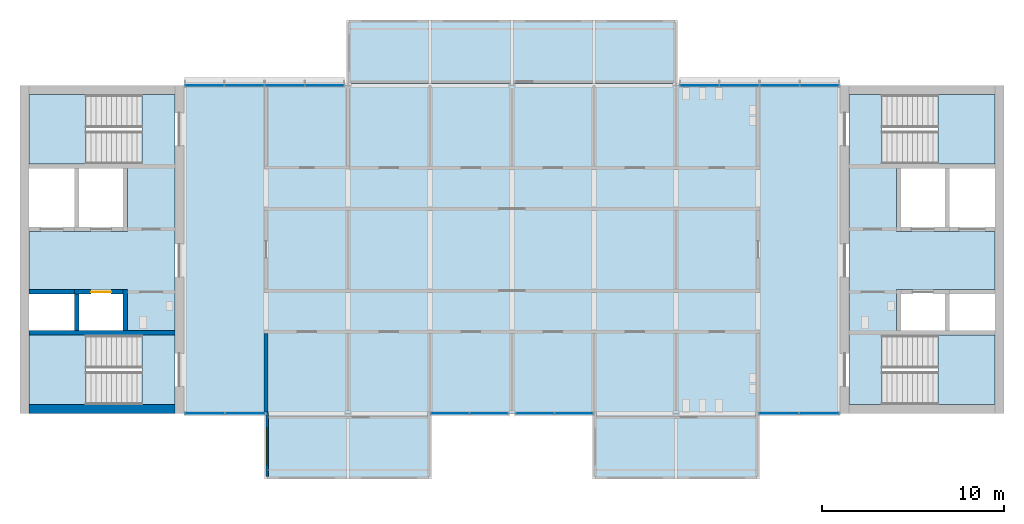
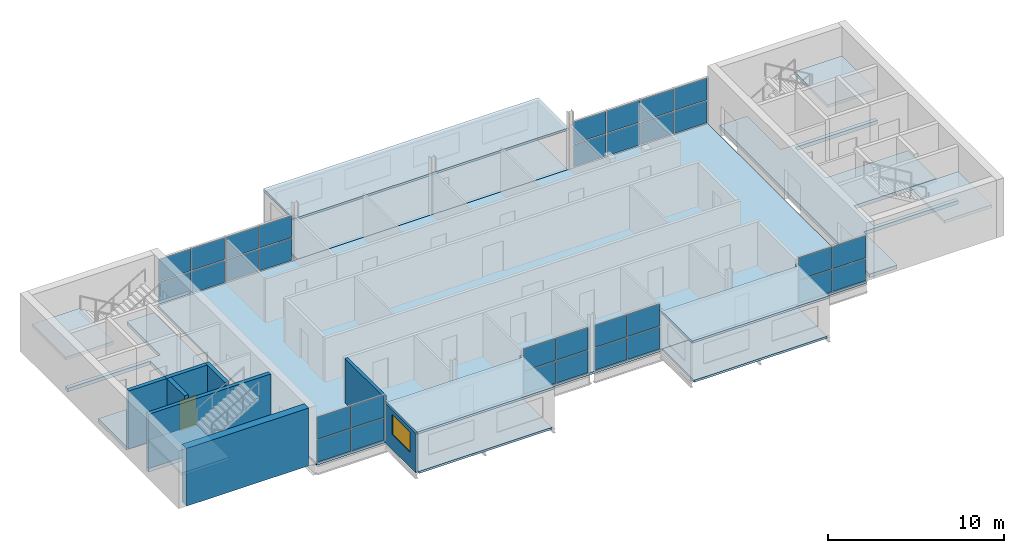
# One storey, part 4 of 10: 32 plates, 13 slabs, 8 walls, 1 door, 1 window, 2 openings, 10 elements without a shape of their own.
"""IFC4 building model written with IfcOpenShell, lengths in metres."""

from ifc_helpers import new_model, si_unit, direction, frame, frame_2d, origin, origin_2d, place, context, subcontext, project, spatial, polyline, rectangle, outline, extrude, material, layer, layer_set, type_object, element, fill, aggregate, save


model = new_model("IFC4")

# Units and contexts
model_context = context("Model", 3, precision=1e-05, world=origin(), true_north=direction((0.0, 1.0)))
body_context = subcontext(model_context, "Body", "Model", "MODEL_VIEW")
ifc_project = project(units=[si_unit("LENGTHUNIT", "METRE"), si_unit("AREAUNIT", "SQUARE_METRE"), si_unit("VOLUMEUNIT", "CUBIC_METRE"), si_unit("PLANEANGLEUNIT", "RADIAN"), si_unit("MASSUNIT", "GRAM", prefix="KILO")], contexts=[model_context])

# Site, building, storey
site_placement = place(None, origin())
site = spatial("IfcSite", under=ifc_project, at=site_placement, CompositionType="ELEMENT")
building_placement = place(site_placement, origin())
building = spatial("IfcBuilding", under=site, at=building_placement, Name="Corbel Yard City Hall", CompositionType="ELEMENT")
storey_placement = place(building_placement, frame((0.0, 0.0, 59.199951171875)))
storey = spatial("IfcBuildingStorey", under=building, at=storey_placement, Name="L14", CompositionType="ELEMENT", Elevation=59.199951171875)

# Slabs
ifc_material_1 = material(Name="Concrete N40 (40 MPa)", Category="concrete")
ifc_layer_1 = layer(ifc_material_1, 0.25)
ifc_layer_set_1 = layer_set([ifc_layer_1], Name="Concrete N40 (40 MPa)")
slab_type_1 = type_object("IfcSlabType", Name="CF1", PredefinedType="FLOOR", material=ifc_layer_set_1)
slab_1_placement = place(storey_placement, frame((0.0, 0.0, -0.25)))
element("IfcSlab", 1, at=slab_1_placement, inside=storey, type_object=slab_type_1, Name="Core floor slab", PredefinedType="FLOOR", context=body_context, shape_type="SweptSolid", body=[
    extrude(outline(polyline([(8.5, 116.5), (6.698974609375, 116.5), (6.698974609375, 112.699951171875), (0.5, 112.699951171875), (0.5, 112.449951171875), (5.89990234375, 112.449951171875), (5.89990234375, 109.0), (0.5, 109.0), (0.5, 105.800048828125), (5.89990234375, 105.800048828125), (5.89990234375, 103.550048828125), (0.5, 103.550048828125), (0.5, 103.300048828125), (6.698974609375, 103.300048828125), (6.698974609375, 99.5), (8.5, 99.5), (8.5, 116.5)])), origin(), (0.0, 0.0, 1.0), 0.25),
])
slab_2_placement = place(storey_placement, frame((0.0, 0.0, -0.25)))
element("IfcSlab", 2, at=slab_2_placement, inside=storey, type_object=slab_type_1, Name="Core floor slab", PredefinedType="FLOOR", context=body_context, shape_type="SweptSolid", body=[
    extrude(outline(polyline([(53.5, 103.300048828125), (53.5, 103.550048828125), (48.10009765625, 103.550048828125), (48.10009765625, 105.800048828125), (53.5, 105.800048828125), (53.5, 109.0), (48.10009765625, 109.0), (48.10009765625, 112.449951171875), (53.5, 112.449951171875), (53.5, 112.699951171875), (47.301025390625, 112.699951171875), (47.301025390625, 116.5), (45.5, 116.5), (45.5, 99.5), (47.301025390625, 99.5), (47.301025390625, 103.300048828125), (53.5, 103.300048828125)])), origin(), (0.0, 0.0, 1.0), 0.25),
])
ifc_layer_2 = layer(ifc_material_1, 0.14990234375)
ifc_layer_set_2 = layer_set([ifc_layer_2], Name="Concrete N40 (40 MPa)")
slab_type_2 = type_object("IfcSlabType", Name="Floor slab 150", PredefinedType="FLOOR", material=ifc_layer_set_2)
slab_3_placement = place(storey_placement, frame((0.0, 0.0, -0.14990234375)))
element("IfcSlab", 3, at=slab_3_placement, inside=storey, type_object=slab_type_2, Name="Tower floor slab L14", PredefinedType="FLOOR", context=body_context, shape_type="SweptSolid", body=[
    extrude(outline(polyline([(45.0, 99.0), (45.0, 117.0), (9.0, 117.0), (9.0, 99.0), (45.0, 99.0)])), origin(), (0.0, 0.0, 1.0), 0.14990234375),
])

# Stair, slab
stair_type = type_object("IfcStairType", Name="ST4", PredefinedType="HALF_TURN_STAIR", material=ifc_material_1)
stair_1_placement = place(storey_placement, origin())
stair_1 = element("IfcStair", 4, at=stair_1_placement, inside=storey, type_object=stair_type, Name="Exit stair ST-W1 L14", PredefinedType="HALF_TURN_STAIR")
ifc_layer_3 = layer(ifc_material_1, 0.199951171875)
ifc_layer_set_3 = layer_set([ifc_layer_3], Name="Concrete N40 (40 MPa)")
slab_type_3 = type_object("IfcSlabType", Name="LN1", PredefinedType="LANDING", material=ifc_layer_set_3)
slab_4_placement = place(storey_placement, frame((0.0, 0.0, 1.800048828125)))
slab_4 = element("IfcSlab", 5, at=slab_4_placement, type_object=slab_type_3, Name="ST-W1 landing 1", PredefinedType="LANDING", context=body_context, shape_type="SweptSolid", body=[
    extrude(outline(polyline([(0.5, 99.5), (3.6201171875, 99.5), (3.6201171875, 103.300048828125), (0.5, 103.300048828125), (0.5, 99.5)])), origin(), (0.0, 0.0, 1.0), 0.199951171875),
])
aggregate(stair_1, [slab_4])

stair_2_placement = place(storey_placement, origin())
stair_2 = element("IfcStair", 6, at=stair_2_placement, inside=storey, type_object=stair_type, Name="Exit stair ST-W2 L14", PredefinedType="HALF_TURN_STAIR")
slab_5_placement = place(storey_placement, frame((0.0, 0.0, 1.800048828125)))
slab_5 = element("IfcSlab", 7, at=slab_5_placement, type_object=slab_type_3, Name="ST-W2 landing 1", PredefinedType="LANDING", context=body_context, shape_type="SweptSolid", body=[
    extrude(outline(polyline([(0.5, 112.699951171875), (3.6201171875, 112.699951171875), (3.6201171875, 116.5), (0.5, 116.5), (0.5, 112.699951171875)])), origin(), (0.0, 0.0, 1.0), 0.199951171875),
])
aggregate(stair_2, [slab_5])

stair_3_placement = place(storey_placement, origin())
stair_3 = element("IfcStair", 8, at=stair_3_placement, inside=storey, type_object=stair_type, Name="Exit stair ST-E1 L14", PredefinedType="HALF_TURN_STAIR")
slab_6_placement = place(storey_placement, frame((0.0, 0.0, 1.800048828125)))
slab_6 = element("IfcSlab", 9, at=slab_6_placement, type_object=slab_type_3, Name="ST-E1 landing 1", PredefinedType="LANDING", context=body_context, shape_type="SweptSolid", body=[
    extrude(outline(polyline([(50.3798828125, 99.5), (53.5, 99.5), (53.5, 103.300048828125), (50.3798828125, 103.300048828125), (50.3798828125, 99.5)])), origin(), (0.0, 0.0, 1.0), 0.199951171875),
])
aggregate(stair_3, [slab_6])

stair_4_placement = place(storey_placement, origin())
stair_4 = element("IfcStair", 10, at=stair_4_placement, inside=storey, type_object=stair_type, Name="Exit stair ST-E2 L14", PredefinedType="HALF_TURN_STAIR")
slab_7_placement = place(storey_placement, frame((0.0, 0.0, 1.800048828125)))
slab_7 = element("IfcSlab", 11, at=slab_7_placement, type_object=slab_type_3, Name="ST-E2 landing 1", PredefinedType="LANDING", context=body_context, shape_type="SweptSolid", body=[
    extrude(outline(polyline([(50.3798828125, 112.699951171875), (53.5, 112.699951171875), (53.5, 116.5), (50.3798828125, 116.5), (50.3798828125, 112.699951171875)])), origin(), (0.0, 0.0, 1.0), 0.199951171875),
])
aggregate(stair_4, [slab_7])

# Slabs
ifc_material_2 = material(Name="Concrete N32 (32 MPa)", Category="concrete")
ifc_layer_4 = layer(ifc_material_2, 0.14990234375)
ifc_layer_set_4 = layer_set([ifc_layer_4], Name="Concrete N32 (32 MPa)")
slab_type_4 = type_object("IfcSlabType", Name="PF1", PredefinedType="FLOOR", material=ifc_layer_set_4)
slab_8_placement = place(storey_placement, frame((0.0, 0.0, -0.14990234375)))
element("IfcSlab", 12, at=slab_8_placement, inside=storey, type_object=slab_type_4, Name="Pod floor slab L14", PredefinedType="FLOOR", context=body_context, shape_type="SweptSolid", body=[
    extrude(outline(polyline([(13.64990234375, 95.39990234375), (22.35009765625, 95.39990234375), (22.35009765625, 99.0), (13.64990234375, 99.0), (13.64990234375, 95.39990234375)])), origin(), (0.0, 0.0, 1.0), 0.14990234375),
])
slab_9_placement = place(storey_placement, frame((0.0, 0.0, -0.14990234375)))
element("IfcSlab", 13, at=slab_9_placement, inside=storey, type_object=slab_type_4, Name="Pod floor slab L14", PredefinedType="FLOOR", context=body_context, shape_type="SweptSolid", body=[
    extrude(outline(polyline([(31.64990234375, 95.39990234375), (40.35009765625, 95.39990234375), (40.35009765625, 99.0), (31.64990234375, 99.0), (31.64990234375, 95.39990234375)])), origin(), (0.0, 0.0, 1.0), 0.14990234375),
])
slab_10_placement = place(storey_placement, frame((0.0, 0.0, -0.14990234375)))
element("IfcSlab", 14, at=slab_10_placement, inside=storey, type_object=slab_type_4, Name="Pod floor slab L14", PredefinedType="FLOOR", context=body_context, shape_type="SweptSolid", body=[
    extrude(outline(polyline([(18.14990234375, 117.0), (35.85009765625, 117.0), (35.85009765625, 120.60009765625), (18.14990234375, 120.60009765625), (18.14990234375, 117.0)])), origin(), (0.0, 0.0, 1.0), 0.14990234375),
])
ifc_layer_5 = layer(ifc_material_2, 0.14990234375)
ifc_layer_set_5 = layer_set([ifc_layer_5], Name="Concrete N32 (32 MPa)")
slab_type_5 = type_object("IfcSlabType", Name="PH1", PredefinedType="ROOF", material=ifc_layer_set_5)
slab_11_placement = place(storey_placement, frame((0.0, 0.0, 2.60009765625)))
element("IfcSlab", 15, at=slab_11_placement, inside=storey, type_object=slab_type_5, Name="Pod roof slab L14", PredefinedType="ROOF", context=body_context, shape_type="SweptSolid", body=[
    extrude(outline(polyline([(13.5, 95.39990234375), (22.5, 95.39990234375), (22.5, 99.074951171875), (22.35009765625, 99.074951171875), (22.35009765625, 98.844482421875), (13.64990234375, 98.844482421875), (13.64990234375, 99.074951171875), (13.5, 99.074951171875), (13.5, 95.39990234375)])), origin(), (0.0, 0.0, 1.0), 0.14990234375),
])
slab_12_placement = place(storey_placement, frame((0.0, 0.0, 2.60009765625)))
element("IfcSlab", 16, at=slab_12_placement, inside=storey, type_object=slab_type_5, Name="Pod roof slab L14", PredefinedType="ROOF", context=body_context, shape_type="SweptSolid", body=[
    extrude(outline(polyline([(31.5, 95.39990234375), (40.5, 95.39990234375), (40.5, 99.074951171875), (40.35009765625, 99.074951171875), (40.35009765625, 98.844482421875), (31.64990234375, 98.844482421875), (31.64990234375, 99.074951171875), (31.5, 99.074951171875), (31.5, 95.39990234375)])), origin(), (0.0, 0.0, 1.0), 0.14990234375),
])
slab_13_placement = place(storey_placement, frame((0.0, 0.0, 2.60009765625)))
element("IfcSlab", 17, at=slab_13_placement, inside=storey, type_object=slab_type_5, Name="Pod roof slab L14", PredefinedType="ROOF", context=body_context, shape_type="SweptSolid", body=[
    extrude(outline(polyline([(18.0, 120.60009765625), (18.0, 117.155517578125), (36.0, 117.155517578125), (36.0, 120.60009765625), (18.0, 120.60009765625)])), origin(), (0.0, 0.0, 1.0), 0.14990234375),
])

# Curtain wall, plates
ifc_material_3 = material(Name="Aluminium extrusion", Category="aluminium")
ifc_layer_6 = layer(ifc_material_3, 0.14990234375)
ifc_layer_set_6 = layer_set([ifc_layer_6], Name="Aluminium extrusion")
curtain_wall_type_1 = type_object("IfcCurtainWallType", Name="CW2", PredefinedType="USERDEFINED", material=ifc_layer_set_6)
curtain_wall_1_placement = place(storey_placement, origin())
curtain_wall_1 = element("IfcCurtainWall", 18, at=curtain_wall_1_placement, inside=storey, type_object=curtain_wall_type_1, Name="Curtain wall CW2 L14", ObjectType="CURTAIN WALL", PredefinedType="USERDEFINED")
ifc_material_4 = material(Name="Double glazed low-e glass unit", Category="glass")
ifc_layer_7 = layer(ifc_material_4, 0.028076171875)
ifc_layer_set_7 = layer_set([ifc_layer_7], Name="Double glazed low-e glass unit")
plate_type_1 = type_object("IfcPlateType", Name="PN2", PredefinedType="CURTAIN_PANEL", material=ifc_layer_set_7)
plate_1_placement = place(storey_placement, frame((10.141357421875, 99.0, 0.06494140625), z_axis=(0.0, 0.0, 1.0), x_axis=(1.0, 0.0, 0.0)))
plate_1 = element("IfcPlate", 19, at=plate_1_placement, type_object=plate_type_1, Name="CW2 panel 1.1", PredefinedType="CURTAIN_PANEL", context=body_context, shape_type="SweptSolid", body=[
    extrude(rectangle(XDim=2.152587890625, YDim=0.028076171875, at=origin_2d()), origin(), (0.0, 0.0, 1.0), 1.521484375),
])
plate_2_placement = place(storey_placement, frame((10.141357421875, 99.0, 1.651611328125), z_axis=(0.0, 0.0, 1.0), x_axis=(1.0, 0.0, 0.0)))
plate_2 = element("IfcPlate", 20, at=plate_2_placement, type_object=plate_type_1, Name="CW2 panel 1.2", PredefinedType="CURTAIN_PANEL", context=body_context, shape_type="SweptSolid", body=[
    extrude(rectangle(XDim=2.152587890625, YDim=0.028076171875, at=origin_2d()), origin(), (0.0, 0.0, 1.0), 1.521484375),
])
plate_3_placement = place(storey_placement, frame((12.358642578125, 99.0, 0.06494140625), z_axis=(0.0, 0.0, 1.0), x_axis=(1.0, 0.0, 0.0)))
plate_3 = element("IfcPlate", 21, at=plate_3_placement, type_object=plate_type_1, Name="CW2 panel 2.1", PredefinedType="CURTAIN_PANEL", context=body_context, shape_type="SweptSolid", body=[
    extrude(rectangle(XDim=2.152587890625, YDim=0.028076171875, at=origin_2d()), origin(), (0.0, 0.0, 1.0), 1.521484375),
])
plate_4_placement = place(storey_placement, frame((12.358642578125, 99.0, 1.651611328125), z_axis=(0.0, 0.0, 1.0), x_axis=(1.0, 0.0, 0.0)))
plate_4 = element("IfcPlate", 22, at=plate_4_placement, type_object=plate_type_1, Name="CW2 panel 2.2", PredefinedType="CURTAIN_PANEL", context=body_context, shape_type="SweptSolid", body=[
    extrude(rectangle(XDim=2.152587890625, YDim=0.028076171875, at=origin_2d()), origin(), (0.0, 0.0, 1.0), 1.521484375),
])
aggregate(curtain_wall_1, [plate_1, plate_2, plate_3, plate_4])

curtain_wall_2_placement = place(storey_placement, origin())
curtain_wall_2 = element("IfcCurtainWall", 23, at=curtain_wall_2_placement, inside=storey, type_object=curtain_wall_type_1, Name="Curtain wall CW2 L14", ObjectType="CURTAIN WALL", PredefinedType="USERDEFINED")
plate_5_placement = place(storey_placement, frame((23.600341796875, 99.0, 0.06494140625), z_axis=(0.0, 0.0, 1.0), x_axis=(1.0, 0.0, 0.0)))
plate_5 = element("IfcPlate", 24, at=plate_5_placement, type_object=plate_type_1, Name="CW2 panel 1.1", PredefinedType="CURTAIN_PANEL", context=body_context, shape_type="SweptSolid", body=[
    extrude(rectangle(XDim=2.07080078125, YDim=0.028076171875, at=origin_2d()), origin(), (0.0, 0.0, 1.0), 1.521484375),
])
plate_6_placement = place(storey_placement, frame((23.600341796875, 99.0, 1.651611328125), z_axis=(0.0, 0.0, 1.0), x_axis=(1.0, 0.0, 0.0)))
plate_6 = element("IfcPlate", 25, at=plate_6_placement, type_object=plate_type_1, Name="CW2 panel 1.2", PredefinedType="CURTAIN_PANEL", context=body_context, shape_type="SweptSolid", body=[
    extrude(rectangle(XDim=2.07080078125, YDim=0.028076171875, at=origin_2d()), origin(), (0.0, 0.0, 1.0), 1.521484375),
])
plate_7_placement = place(storey_placement, frame((25.736083984375, 99.0, 0.06494140625), z_axis=(0.0, 0.0, 1.0), x_axis=(1.0, 0.0, 0.0)))
plate_7 = element("IfcPlate", 26, at=plate_7_placement, type_object=plate_type_1, Name="CW2 panel 2.1", PredefinedType="CURTAIN_PANEL", context=body_context, shape_type="SweptSolid", body=[
    extrude(rectangle(XDim=2.07080078125, YDim=0.028076171875, at=origin_2d()), origin(), (0.0, 0.0, 1.0), 1.521484375),
])
plate_8_placement = place(storey_placement, frame((25.736083984375, 99.0, 1.651611328125), z_axis=(0.0, 0.0, 1.0), x_axis=(1.0, 0.0, 0.0)))
plate_8 = element("IfcPlate", 27, at=plate_8_placement, type_object=plate_type_1, Name="CW2 panel 2.2", PredefinedType="CURTAIN_PANEL", context=body_context, shape_type="SweptSolid", body=[
    extrude(rectangle(XDim=2.07080078125, YDim=0.028076171875, at=origin_2d()), origin(), (0.0, 0.0, 1.0), 1.521484375),
])
aggregate(curtain_wall_2, [plate_5, plate_6, plate_7, plate_8])

curtain_wall_3_placement = place(storey_placement, origin())
curtain_wall_3 = element("IfcCurtainWall", 28, at=curtain_wall_3_placement, inside=storey, type_object=curtain_wall_type_1, Name="Curtain wall CW2 L14", ObjectType="CURTAIN WALL", PredefinedType="USERDEFINED")
plate_9_placement = place(storey_placement, frame((28.263916015625, 99.0, 0.06494140625), z_axis=(0.0, 0.0, 1.0), x_axis=(1.0, 0.0, 0.0)))
plate_9 = element("IfcPlate", 29, at=plate_9_placement, type_object=plate_type_1, Name="CW2 panel 1.1", PredefinedType="CURTAIN_PANEL", context=body_context, shape_type="SweptSolid", body=[
    extrude(rectangle(XDim=2.07080078125, YDim=0.028076171875, at=origin_2d()), origin(), (0.0, 0.0, 1.0), 1.521484375),
])
plate_10_placement = place(storey_placement, frame((28.263916015625, 99.0, 1.651611328125), z_axis=(0.0, 0.0, 1.0), x_axis=(1.0, 0.0, 0.0)))
plate_10 = element("IfcPlate", 30, at=plate_10_placement, type_object=plate_type_1, Name="CW2 panel 1.2", PredefinedType="CURTAIN_PANEL", context=body_context, shape_type="SweptSolid", body=[
    extrude(rectangle(XDim=2.07080078125, YDim=0.028076171875, at=origin_2d()), origin(), (0.0, 0.0, 1.0), 1.521484375),
])
plate_11_placement = place(storey_placement, frame((30.399658203125, 99.0, 0.06494140625), z_axis=(0.0, 0.0, 1.0), x_axis=(1.0, 0.0, 0.0)))
plate_11 = element("IfcPlate", 31, at=plate_11_placement, type_object=plate_type_1, Name="CW2 panel 2.1", PredefinedType="CURTAIN_PANEL", context=body_context, shape_type="SweptSolid", body=[
    extrude(rectangle(XDim=2.07080078125, YDim=0.028076171875, at=origin_2d()), origin(), (0.0, 0.0, 1.0), 1.521484375),
])
plate_12_placement = place(storey_placement, frame((30.399658203125, 99.0, 1.651611328125), z_axis=(0.0, 0.0, 1.0), x_axis=(1.0, 0.0, 0.0)))
plate_12 = element("IfcPlate", 32, at=plate_12_placement, type_object=plate_type_1, Name="CW2 panel 2.2", PredefinedType="CURTAIN_PANEL", context=body_context, shape_type="SweptSolid", body=[
    extrude(rectangle(XDim=2.07080078125, YDim=0.028076171875, at=origin_2d()), origin(), (0.0, 0.0, 1.0), 1.521484375),
])
aggregate(curtain_wall_3, [plate_9, plate_10, plate_11, plate_12])

curtain_wall_4_placement = place(storey_placement, origin())
curtain_wall_4 = element("IfcCurtainWall", 33, at=curtain_wall_4_placement, inside=storey, type_object=curtain_wall_type_1, Name="Curtain wall CW2 L14", ObjectType="CURTAIN WALL", PredefinedType="USERDEFINED")
plate_13_placement = place(storey_placement, frame((41.641357421875, 99.0, 0.06494140625), z_axis=(0.0, 0.0, 1.0), x_axis=(1.0, 0.0, 0.0)))
plate_13 = element("IfcPlate", 34, at=plate_13_placement, type_object=plate_type_1, Name="CW2 panel 1.1", PredefinedType="CURTAIN_PANEL", context=body_context, shape_type="SweptSolid", body=[
    extrude(rectangle(XDim=2.152587890625, YDim=0.028076171875, at=origin_2d()), origin(), (0.0, 0.0, 1.0), 1.521484375),
])
plate_14_placement = place(storey_placement, frame((41.641357421875, 99.0, 1.651611328125), z_axis=(0.0, 0.0, 1.0), x_axis=(1.0, 0.0, 0.0)))
plate_14 = element("IfcPlate", 35, at=plate_14_placement, type_object=plate_type_1, Name="CW2 panel 1.2", PredefinedType="CURTAIN_PANEL", context=body_context, shape_type="SweptSolid", body=[
    extrude(rectangle(XDim=2.152587890625, YDim=0.028076171875, at=origin_2d()), origin(), (0.0, 0.0, 1.0), 1.521484375),
])
plate_15_placement = place(storey_placement, frame((43.858642578125, 99.0, 0.06494140625), z_axis=(0.0, 0.0, 1.0), x_axis=(1.0, 0.0, 0.0)))
plate_15 = element("IfcPlate", 36, at=plate_15_placement, type_object=plate_type_1, Name="CW2 panel 2.1", PredefinedType="CURTAIN_PANEL", context=body_context, shape_type="SweptSolid", body=[
    extrude(rectangle(XDim=2.152587890625, YDim=0.028076171875, at=origin_2d()), origin(), (0.0, 0.0, 1.0), 1.521484375),
])
plate_16_placement = place(storey_placement, frame((43.858642578125, 99.0, 1.651611328125), z_axis=(0.0, 0.0, 1.0), x_axis=(1.0, 0.0, 0.0)))
plate_16 = element("IfcPlate", 37, at=plate_16_placement, type_object=plate_type_1, Name="CW2 panel 2.2", PredefinedType="CURTAIN_PANEL", context=body_context, shape_type="SweptSolid", body=[
    extrude(rectangle(XDim=2.152587890625, YDim=0.028076171875, at=origin_2d()), origin(), (0.0, 0.0, 1.0), 1.521484375),
])
aggregate(curtain_wall_4, [plate_13, plate_14, plate_15, plate_16])

ifc_layer_8 = layer(ifc_material_3, 0.179931640625)
ifc_layer_set_8 = layer_set([ifc_layer_8], Name="Aluminium extrusion")
curtain_wall_type_2 = type_object("IfcCurtainWallType", Name="CW6", PredefinedType="USERDEFINED", material=ifc_layer_set_8)
curtain_wall_5_placement = place(storey_placement, origin())
curtain_wall_5 = element("IfcCurtainWall", 38, at=curtain_wall_5_placement, inside=storey, type_object=curtain_wall_type_2, Name="Curtain wall CW6 L14", ObjectType="CURTAIN WALL", PredefinedType="USERDEFINED")
ifc_material_5 = material(Name="Double glazed low-e glass unit, ceramic fritted", Category="glass")
ifc_layer_9 = layer(ifc_material_5, 0.02392578125)
ifc_layer_set_9 = layer_set([ifc_layer_9], Name="Double glazed low-e glass unit, ceramic fritted")
plate_type_2 = type_object("IfcPlateType", Name="PN7", PredefinedType="CURTAIN_PANEL", material=ifc_layer_set_9)
plate_17_placement = place(storey_placement, frame((10.120849609375, 117.0, 0.06494140625), z_axis=(0.0, 0.0, 1.0), x_axis=(1.0, 0.0, 0.0)))
plate_17 = element("IfcPlate", 39, at=plate_17_placement, type_object=plate_type_2, Name="CW6 panel 1.1", PredefinedType="CURTAIN_PANEL", context=body_context, shape_type="SweptSolid", body=[
    extrude(rectangle(XDim=2.111572265625, YDim=0.02392578125, at=origin_2d()), origin(), (0.0, 0.0, 1.0), 1.521484375),
])
plate_18_placement = place(storey_placement, frame((10.120849609375, 117.0, 1.651611328125), z_axis=(0.0, 0.0, 1.0), x_axis=(1.0, 0.0, 0.0)))
plate_18 = element("IfcPlate", 40, at=plate_18_placement, type_object=plate_type_2, Name="CW6 panel 1.2", PredefinedType="CURTAIN_PANEL", context=body_context, shape_type="SweptSolid", body=[
    extrude(rectangle(XDim=2.111572265625, YDim=0.02392578125, at=origin_2d()), origin(), (0.0, 0.0, 1.0), 1.521484375),
])
plate_19_placement = place(storey_placement, frame((12.313720703125, 117.0, 0.06494140625), z_axis=(0.0, 0.0, 1.0), x_axis=(1.0, 0.0, 0.0)))
plate_19 = element("IfcPlate", 41, at=plate_19_placement, type_object=plate_type_2, Name="CW6 panel 2.1", PredefinedType="CURTAIN_PANEL", context=body_context, shape_type="SweptSolid", body=[
    extrude(rectangle(XDim=2.14404296875, YDim=0.02392578125, at=origin_2d()), origin(), (0.0, 0.0, 1.0), 1.521484375),
])
plate_20_placement = place(storey_placement, frame((12.313720703125, 117.0, 1.651611328125), z_axis=(0.0, 0.0, 1.0), x_axis=(1.0, 0.0, 0.0)))
plate_20 = element("IfcPlate", 42, at=plate_20_placement, type_object=plate_type_2, Name="CW6 panel 2.2", PredefinedType="CURTAIN_PANEL", context=body_context, shape_type="SweptSolid", body=[
    extrude(rectangle(XDim=2.14404296875, YDim=0.02392578125, at=origin_2d()), origin(), (0.0, 0.0, 1.0), 1.521484375),
])
plate_21_placement = place(storey_placement, frame((14.522705078125, 117.0, 0.06494140625), z_axis=(0.0, 0.0, 1.0), x_axis=(1.0, 0.0, 0.0)))
plate_21 = element("IfcPlate", 43, at=plate_21_placement, type_object=plate_type_2, Name="CW6 panel 3.1", PredefinedType="CURTAIN_PANEL", context=body_context, shape_type="SweptSolid", body=[
    extrude(rectangle(XDim=2.14404296875, YDim=0.02392578125, at=origin_2d()), origin(), (0.0, 0.0, 1.0), 1.521484375),
])
plate_22_placement = place(storey_placement, frame((14.522705078125, 117.0, 1.651611328125), z_axis=(0.0, 0.0, 1.0), x_axis=(1.0, 0.0, 0.0)))
plate_22 = element("IfcPlate", 44, at=plate_22_placement, type_object=plate_type_2, Name="CW6 panel 3.2", PredefinedType="CURTAIN_PANEL", context=body_context, shape_type="SweptSolid", body=[
    extrude(rectangle(XDim=2.14404296875, YDim=0.02392578125, at=origin_2d()), origin(), (0.0, 0.0, 1.0), 1.521484375),
])
plate_23_placement = place(storey_placement, frame((16.715576171875, 117.0, 0.06494140625), z_axis=(0.0, 0.0, 1.0), x_axis=(1.0, 0.0, 0.0)))
plate_23 = element("IfcPlate", 45, at=plate_23_placement, type_object=plate_type_2, Name="CW6 panel 4.1", PredefinedType="CURTAIN_PANEL", context=body_context, shape_type="SweptSolid", body=[
    extrude(rectangle(XDim=2.111572265625, YDim=0.02392578125, at=origin_2d()), origin(), (0.0, 0.0, 1.0), 1.521484375),
])
plate_24_placement = place(storey_placement, frame((16.715576171875, 117.0, 1.651611328125), z_axis=(0.0, 0.0, 1.0), x_axis=(1.0, 0.0, 0.0)))
plate_24 = element("IfcPlate", 46, at=plate_24_placement, type_object=plate_type_2, Name="CW6 panel 4.2", PredefinedType="CURTAIN_PANEL", context=body_context, shape_type="SweptSolid", body=[
    extrude(rectangle(XDim=2.111572265625, YDim=0.02392578125, at=origin_2d()), origin(), (0.0, 0.0, 1.0), 1.521484375),
])
aggregate(curtain_wall_5, [plate_17, plate_18, plate_19, plate_20, plate_21, plate_22, plate_23, plate_24])

curtain_wall_6_placement = place(storey_placement, origin())
curtain_wall_6 = element("IfcCurtainWall", 47, at=curtain_wall_6_placement, inside=storey, type_object=curtain_wall_type_2, Name="Curtain wall CW6 L14", ObjectType="CURTAIN WALL", PredefinedType="USERDEFINED")
plate_25_placement = place(storey_placement, frame((37.284423828125, 117.0, 0.06494140625), z_axis=(0.0, 0.0, 1.0), x_axis=(1.0, 0.0, 0.0)))
plate_25 = element("IfcPlate", 48, at=plate_25_placement, type_object=plate_type_2, Name="CW6 panel 1.1", PredefinedType="CURTAIN_PANEL", context=body_context, shape_type="SweptSolid", body=[
    extrude(rectangle(XDim=2.111572265625, YDim=0.02392578125, at=origin_2d()), origin(), (0.0, 0.0, 1.0), 1.521484375),
])
plate_26_placement = place(storey_placement, frame((37.284423828125, 117.0, 1.651611328125), z_axis=(0.0, 0.0, 1.0), x_axis=(1.0, 0.0, 0.0)))
plate_26 = element("IfcPlate", 49, at=plate_26_placement, type_object=plate_type_2, Name="CW6 panel 1.2", PredefinedType="CURTAIN_PANEL", context=body_context, shape_type="SweptSolid", body=[
    extrude(rectangle(XDim=2.111572265625, YDim=0.02392578125, at=origin_2d()), origin(), (0.0, 0.0, 1.0), 1.521484375),
])
plate_27_placement = place(storey_placement, frame((39.477294921875, 117.0, 0.06494140625), z_axis=(0.0, 0.0, 1.0), x_axis=(1.0, 0.0, 0.0)))
plate_27 = element("IfcPlate", 50, at=plate_27_placement, type_object=plate_type_2, Name="CW6 panel 2.1", PredefinedType="CURTAIN_PANEL", context=body_context, shape_type="SweptSolid", body=[
    extrude(rectangle(XDim=2.14404296875, YDim=0.02392578125, at=origin_2d()), origin(), (0.0, 0.0, 1.0), 1.521484375),
])
plate_28_placement = place(storey_placement, frame((39.477294921875, 117.0, 1.651611328125), z_axis=(0.0, 0.0, 1.0), x_axis=(1.0, 0.0, 0.0)))
plate_28 = element("IfcPlate", 51, at=plate_28_placement, type_object=plate_type_2, Name="CW6 panel 2.2", PredefinedType="CURTAIN_PANEL", context=body_context, shape_type="SweptSolid", body=[
    extrude(rectangle(XDim=2.14404296875, YDim=0.02392578125, at=origin_2d()), origin(), (0.0, 0.0, 1.0), 1.521484375),
])
plate_29_placement = place(storey_placement, frame((41.686279296875, 117.0, 0.06494140625), z_axis=(0.0, 0.0, 1.0), x_axis=(1.0, 0.0, 0.0)))
plate_29 = element("IfcPlate", 52, at=plate_29_placement, type_object=plate_type_2, Name="CW6 panel 3.1", PredefinedType="CURTAIN_PANEL", context=body_context, shape_type="SweptSolid", body=[
    extrude(rectangle(XDim=2.14404296875, YDim=0.02392578125, at=origin_2d()), origin(), (0.0, 0.0, 1.0), 1.521484375),
])
plate_30_placement = place(storey_placement, frame((41.686279296875, 117.0, 1.651611328125), z_axis=(0.0, 0.0, 1.0), x_axis=(1.0, 0.0, 0.0)))
plate_30 = element("IfcPlate", 53, at=plate_30_placement, type_object=plate_type_2, Name="CW6 panel 3.2", PredefinedType="CURTAIN_PANEL", context=body_context, shape_type="SweptSolid", body=[
    extrude(rectangle(XDim=2.14404296875, YDim=0.02392578125, at=origin_2d()), origin(), (0.0, 0.0, 1.0), 1.521484375),
])
plate_31_placement = place(storey_placement, frame((43.879150390625, 117.0, 0.06494140625), z_axis=(0.0, 0.0, 1.0), x_axis=(1.0, 0.0, 0.0)))
plate_31 = element("IfcPlate", 54, at=plate_31_placement, type_object=plate_type_2, Name="CW6 panel 4.1", PredefinedType="CURTAIN_PANEL", context=body_context, shape_type="SweptSolid", body=[
    extrude(rectangle(XDim=2.111572265625, YDim=0.02392578125, at=origin_2d()), origin(), (0.0, 0.0, 1.0), 1.521484375),
])
plate_32_placement = place(storey_placement, frame((43.879150390625, 117.0, 1.651611328125), z_axis=(0.0, 0.0, 1.0), x_axis=(1.0, 0.0, 0.0)))
plate_32 = element("IfcPlate", 55, at=plate_32_placement, type_object=plate_type_2, Name="CW6 panel 4.2", PredefinedType="CURTAIN_PANEL", context=body_context, shape_type="SweptSolid", body=[
    extrude(rectangle(XDim=2.111572265625, YDim=0.02392578125, at=origin_2d()), origin(), (0.0, 0.0, 1.0), 1.521484375),
])
aggregate(curtain_wall_6, [plate_25, plate_26, plate_27, plate_28, plate_29, plate_30, plate_31, plate_32])

# Walls
ifc_layer_10 = layer(ifc_material_1, 0.25)
ifc_layer_set_10 = layer_set([ifc_layer_10], Name="Concrete N40 (40 MPa)")
wall_type_1 = type_object("IfcWallType", Name="IW2", PredefinedType="SOLIDWALL", material=ifc_layer_set_10)
wall_1_placement = place(storey_placement, frame((8.5, 103.425048828125, 0.0), z_axis=(0.0, 0.0, 1.0), x_axis=(-1.0, 0.0, 0.0)))
element("IfcWall", 56, at=wall_1_placement, inside=storey, type_object=wall_type_1, Name="Stair enclosure wall", PredefinedType="SOLIDWALL", context=body_context, shape_type="SweptSolid", body=[
    extrude(rectangle(XDim=8.0, YDim=0.25, at=frame_2d((4.0, 0.0))), origin(), (0.0, 0.0, 1.0), 3.75),
])
wall_2_placement = place(storey_placement, frame((5.77490234375, 103.550048828125, 0.0), z_axis=(0.0, 0.0, 1.0), x_axis=(0.0, 1.0, 0.0)))
element("IfcWall", 57, at=wall_2_placement, inside=storey, type_object=wall_type_1, Name="Lift LP22 shaft wall", PredefinedType="SOLIDWALL", context=body_context, shape_type="SweptSolid", body=[
    extrude(rectangle(XDim=2.25, YDim=0.25, at=frame_2d((1.125, 0.0))), origin(), (0.0, 0.0, 1.0), 4.0),
])
wall_3_placement = place(storey_placement, frame((3.125, 103.550048828125, 0.0), z_axis=(0.0, 0.0, 1.0), x_axis=(0.0, 1.0, 0.0)))
element("IfcWall", 58, at=wall_3_placement, inside=storey, type_object=wall_type_1, Name="Lift LP22 shaft wall", PredefinedType="SOLIDWALL", context=body_context, shape_type="SweptSolid", body=[
    extrude(rectangle(XDim=2.0, YDim=0.25, at=frame_2d((1.0, 0.0))), origin(), (0.0, 0.0, 1.0), 4.0),
])

# Wall, opening, door
wall_4_placement = place(storey_placement, frame((5.64990234375, 105.675048828125, 0.0), z_axis=(0.0, 0.0, 1.0), x_axis=(-1.0, 0.0, 0.0)))
wall_4 = element("IfcWall", 59, at=wall_4_placement, inside=storey, type_object=wall_type_1, Name="Lift LP22 shaft wall", PredefinedType="SOLIDWALL", context=body_context, shape_type="SweptSolid", body=[
    extrude(rectangle(XDim=2.64990234375, YDim=0.25, at=frame_2d((1.324951171875, 0.0))), origin(), (0.0, 0.0, 1.0), 4.0),
])
opening_1_placement = place(wall_4_placement, frame((0.64990234375, 0.0, 0.0)))
opening_1 = element("IfcOpeningElement", 60, at=opening_1_placement, cuts=wall_4, Name="Opening T4-004", PredefinedType="OPENING", context=body_context, shape_type="SweptSolid", body=[
    extrude(rectangle(XDim=1.10009765625, YDim=2.10009765625, at=frame_2d((0.550048828125, 1.050048828125))), frame((0.0, 0.135009765625, 0.0), z_axis=(0.0, -1.0, 0.0), x_axis=(1.0, 0.0, 0.0)), (0.0, 0.0, 1.0), 0.27001953125),
])
ifc_material_6 = material(Name="Stainless steel Grade 316", Category="steel")
door_type = type_object("IfcDoorType", Name="LD1", OperationType="DOUBLE_DOOR_SLIDING", PredefinedType="DOOR", material=ifc_material_6)
door_placement = place(opening_1_placement, origin())
door = element("IfcDoor", 61, at=door_placement, inside=storey, type_object=door_type, Name="Lift LP22 landing door", OperationType="DOUBLE_DOOR_SLIDING", OverallHeight=2.10009765625, OverallWidth=1.10009765625, PredefinedType="DOOR", context=body_context, shape_type="SweptSolid", body=[
    extrude(rectangle(XDim=1.10009765625, YDim=2.10009765625, at=frame_2d((0.550048828125, 1.050048828125))), frame((0.0, 0.02490234375, 0.0), z_axis=(0.0, -1.0, 0.0), x_axis=(1.0, 0.0, 0.0)), (0.0, 0.0, 1.0), 0.050048828125),
])
fill(opening_1, door)

# Wall
wall_5_placement = place(storey_placement, frame((3.0, 105.675048828125, 0.0), z_axis=(0.0, 0.0, 1.0), x_axis=(-1.0, 0.0, 0.0)))
element("IfcWall", 62, at=wall_5_placement, inside=storey, type_object=wall_type_1, Name="Lift LP23 shaft wall", PredefinedType="SOLIDWALL", context=body_context, shape_type="SweptSolid", body=[
    extrude(rectangle(XDim=2.5, YDim=0.25, at=frame_2d((1.25, 0.0))), origin(), (0.0, 0.0, 1.0), 4.0),
])

# Wall, opening, window
ifc_material_7 = material(Name="Anodised aluminium", Category="aluminium")
ifc_layer_11 = layer(ifc_material_7, 0.02392578125)
ifc_material_8 = material(Name="Steel Grade G550 (550 MPa yield)", Category="steel")
ifc_layer_12 = layer(ifc_material_8, 0.10009765625)
ifc_material_9 = material(Name="Gypsum plasterboard", Category="gypsum")
ifc_layer_13 = layer(ifc_material_9, 0.02587890625)
ifc_layer_set_11 = layer_set([ifc_layer_11, ifc_layer_12, ifc_layer_13], Name="Steel Grade G550 (550 MPa yield)")
wall_type_2 = type_object("IfcWallType", Name="PD3", PredefinedType="SOLIDWALL", material=ifc_layer_set_11)
wall_6_placement = place(storey_placement, frame((13.574951171875, 95.550048828125, -0.14990234375), z_axis=(0.0, 0.0, 1.0), x_axis=(0.0, 1.0, 0.0)))
wall_6 = element("IfcWall", 63, at=wall_6_placement, inside=storey, type_object=wall_type_2, Name="Pod side wall L14", PredefinedType="SOLIDWALL", context=body_context, shape_type="SweptSolid", body=[
    extrude(rectangle(XDim=3.52490234375, YDim=0.14990234375, at=frame_2d((1.762451171875, 0.0))), origin(), (0.0, 0.0, 1.0), 2.75),
])
opening_2_placement = place(wall_6_placement, frame((0.647216796875, 0.0, 1.050048828125)))
opening_2 = element("IfcOpeningElement", 64, at=opening_2_placement, cuts=wall_6, Name="Opening WN6", PredefinedType="OPENING", context=body_context, shape_type="SweptSolid", body=[
    extrude(rectangle(XDim=2.0, YDim=1.39990234375, at=frame_2d((1.0, 0.699951171875))), frame((0.0, 0.0849609375, 0.0), z_axis=(0.0, -1.0, 0.0), x_axis=(1.0, 0.0, 0.0)), (0.0, 0.0, 1.0), 0.169921875),
])
ifc_material_10 = material(Name="Aluminium frame, double glazed low-e glass", Category="aluminium")
window_type = type_object("IfcWindowType", Name="WN6", PartitioningType="SINGLE_PANEL", PredefinedType="WINDOW", material=ifc_material_10)
window_placement = place(opening_2_placement, origin())
window = element("IfcWindow", 65, at=window_placement, inside=storey, type_object=window_type, Name="Window WN6 L14", OverallHeight=1.39990234375, OverallWidth=2.0, PartitioningType="SINGLE_PANEL", PredefinedType="WINDOW", context=body_context, shape_type="SweptSolid", body=[
    extrude(rectangle(XDim=2.0, YDim=1.39990234375, at=frame_2d((1.0, 0.699951171875))), frame((0.0, 0.030029296875, 0.0), z_axis=(0.0, -1.0, 0.0), x_axis=(1.0, 0.0, 0.0)), (0.0, 0.0, 1.0), 0.06005859375),
])
fill(opening_2, window)

# Walls
ifc_layer_14 = layer(ifc_material_9, 0.031982421875)
ifc_layer_15 = layer(ifc_material_8, 0.135986328125)
ifc_layer_16 = layer(ifc_material_9, 0.031982421875)
ifc_layer_set_12 = layer_set([ifc_layer_14, ifc_layer_15, ifc_layer_16], Name="Steel Grade G550 (550 MPa yield)")
wall_type_3 = type_object("IfcWallType", Name="PT2", PredefinedType="PARTITIONING", material=ifc_layer_set_12)
wall_7_placement = place(storey_placement, frame((13.5, 99.074951171875, 0.0), z_axis=(0.0, 0.0, 1.0), x_axis=(0.0, 1.0, 0.0)))
element("IfcWall", 66, at=wall_7_placement, inside=storey, type_object=wall_type_3, Name="Acoustic wall", PredefinedType="PARTITIONING", context=body_context, shape_type="SweptSolid", body=[
    extrude(rectangle(XDim=4.324951171875, YDim=0.199951171875, at=frame_2d((2.16259765625, 0.0))), origin(), (0.0, 0.0, 1.0), 3.050048828125),
])
ifc_material_11 = material(Name="Concrete N50 (50 MPa)", Category="concrete")
ifc_layer_17 = layer(ifc_material_11, 0.5)
ifc_layer_set_13 = layer_set([ifc_layer_17], Name="Concrete N50 (50 MPa)")
wall_type_4 = type_object("IfcWallType", Name="Trunk wall 500", PredefinedType="SHEAR", material=ifc_layer_set_13)
wall_8_placement = place(storey_placement, frame((0.5, 99.25, 0.0), z_axis=(0.0, 0.0, 1.0), x_axis=(1.0, 0.0, 0.0)))
element("IfcWall", 67, at=wall_8_placement, inside=storey, type_object=wall_type_4, Name="Trunk W south wall", PredefinedType="SHEAR", context=body_context, shape_type="SweptSolid", body=[
    extrude(rectangle(XDim=8.0, YDim=0.5, at=frame_2d((4.0, 0.0))), origin(), (0.0, 0.0, 1.0), 4.0),
])

save(model, "model.ifc")
